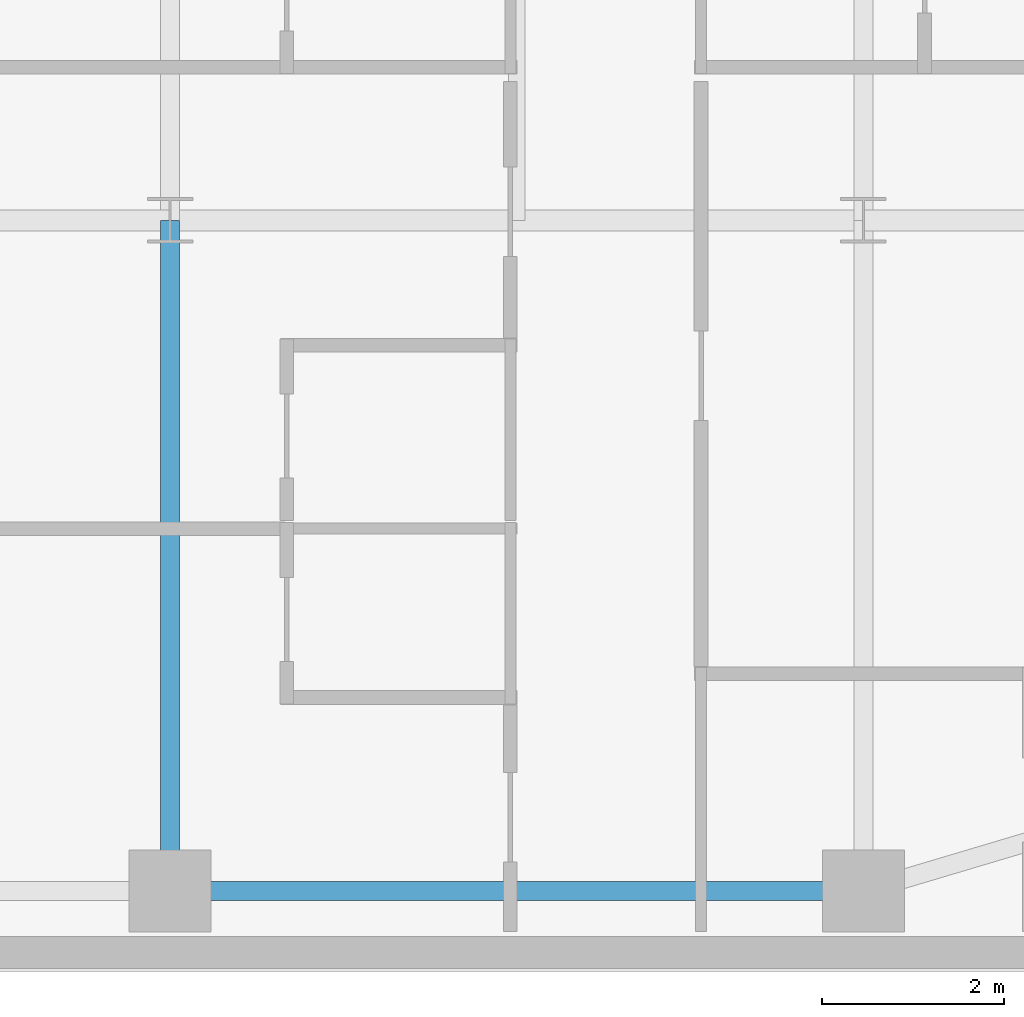
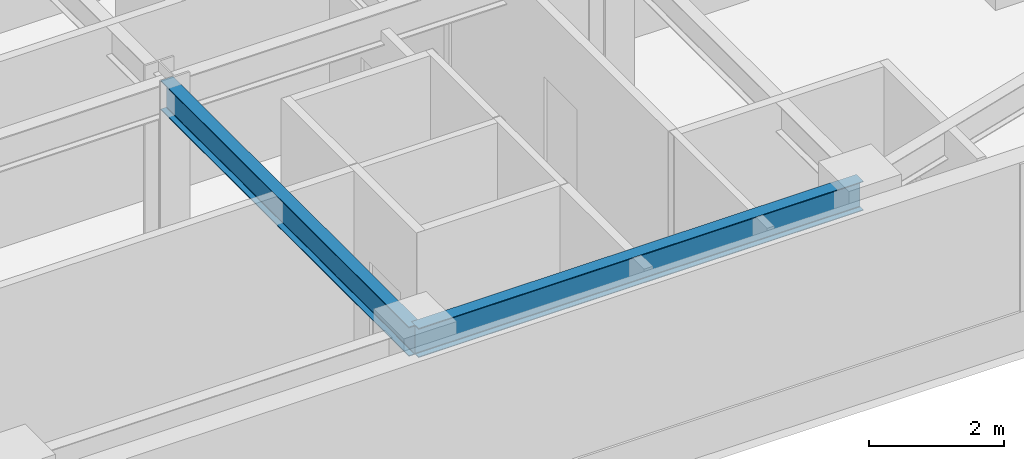
# One storey, part 8 of 24: 2 beams.
"""IFC4 building model written with IfcOpenShell, lengths in metres."""

from ifc_helpers import new_model, si_unit, direction, frame, origin, origin_2d, place, context, subcontext, project, spatial, i_section, extrude, source, transform, mapped, material, material_profile, profile_set, type_object, type_shapes, element, save


model = new_model("IFC4")

# Units and contexts
model_context = context("Model", 3, precision=1e-05, world=origin(), true_north=direction((0.0, 1.0)))
body_context = subcontext(model_context, "Body", "Model", "MODEL_VIEW")
ifc_project = project(units=[si_unit("LENGTHUNIT", "METRE"), si_unit("AREAUNIT", "SQUARE_METRE"), si_unit("VOLUMEUNIT", "CUBIC_METRE"), si_unit("PLANEANGLEUNIT", "RADIAN"), si_unit("MASSUNIT", "GRAM", prefix="KILO")], contexts=[model_context])

# Site, building, storey
site_placement = place(None, origin())
site = spatial("IfcSite", under=ifc_project, at=site_placement, CompositionType="ELEMENT")
building_placement = place(site_placement, origin())
building = spatial("IfcBuilding", under=site, at=building_placement, Name="Tolvann Quenvar Hotel", CompositionType="ELEMENT")
storey_placement = place(building_placement, frame((0.0, 0.0, 118.64990234375)))
storey = spatial("IfcBuildingStorey", under=building, at=storey_placement, Name="L30", CompositionType="ELEMENT", Elevation=118.64990234375)

# Beams
ifc_material = material(Name="Steel Grade 350", Category="steel")
ifc_material_profile_1 = material_profile(ifc_material, i_section(OverallWidth=0.208984375, OverallDepth=0.528076171875, WebThickness=0.009521484375, FlangeThickness=0.01318359375, FilletRadius=0.013916015625, at=origin_2d()), Name="530UB82")
ifc_profile_set_1 = profile_set([ifc_material_profile_1], Name="Steel Grade 350")
beam_type_1 = type_object("IfcBeamType", Name="BM_SPAND_530UB82", PredefinedType="SPANDREL", material=ifc_profile_set_1)
shared_shape_1 = source(origin(), body_context, "Body", "SweptSolid", [
    extrude(i_section(OverallWidth=0.208984375, OverallDepth=0.528076171875, WebThickness=0.009521484375, FlangeThickness=0.01318359375, FilletRadius=0.013916015625, at=origin_2d()), origin(), (0.0, 0.0, 1.0), 7.599853515625),
])
type_shapes(beam_type_1, [shared_shape_1])
beam_1_placement = place(storey_placement, frame((41.800048828125, 0.85009765625, 3.106201171875), z_axis=(1.0, 0.0, 0.0), x_axis=(0.0, 1.0, 0.0)))
element("IfcBeam", 1, at=beam_1_placement, inside=storey, type_object=beam_type_1, Name="BM-L30-EW-2-H2-I2", PredefinedType="SPANDREL", context=body_context, shape_type="MappedRepresentation", body=[
    mapped(shared_shape_1, transform((0.0, 0.0, 0.0), x_axis=(1.0, 0.0, 0.0), y_axis=(0.0, 1.0, 0.0), z_axis=(0.0, 0.0, 1.0), scale=1.0)),
])
ifc_material_profile_2 = material_profile(ifc_material, i_section(OverallWidth=0.208984375, OverallDepth=0.532958984375, WebThickness=0.01025390625, FlangeThickness=0.015625, FilletRadius=0.013916015625, at=origin_2d()), Name="530UB92")
ifc_profile_set_2 = profile_set([ifc_material_profile_2], Name="Steel Grade 350")
beam_type_2 = type_object("IfcBeamType", Name="BM_GIRD_530UB92", PredefinedType="BEAM", material=ifc_profile_set_2)
shared_shape_2 = source(origin(), body_context, "Body", "SweptSolid", [
    extrude(i_section(OverallWidth=0.208984375, OverallDepth=0.532958984375, WebThickness=0.01025390625, FlangeThickness=0.015625, FilletRadius=0.013916015625, at=origin_2d()), origin(), (0.0, 0.0, 1.0), 7.349853515625),
])
type_shapes(beam_type_2, [shared_shape_2])
beam_2_placement = place(storey_placement, frame((41.800048828125, 0.85009765625, 3.103515625), z_axis=(0.0, 1.0, 0.0), x_axis=(-1.0, 0.0, 0.0)))
element("IfcBeam", 2, at=beam_2_placement, inside=storey, type_object=beam_type_2, Name="BM-L30-NS-H2-H3", PredefinedType="BEAM", context=body_context, shape_type="MappedRepresentation", body=[
    mapped(shared_shape_2, transform((0.0, 0.0, 0.0), x_axis=(1.0, 0.0, 0.0), y_axis=(0.0, 1.0, 0.0), z_axis=(0.0, 0.0, 1.0), scale=1.0)),
])

save(model, "model.ifc")
